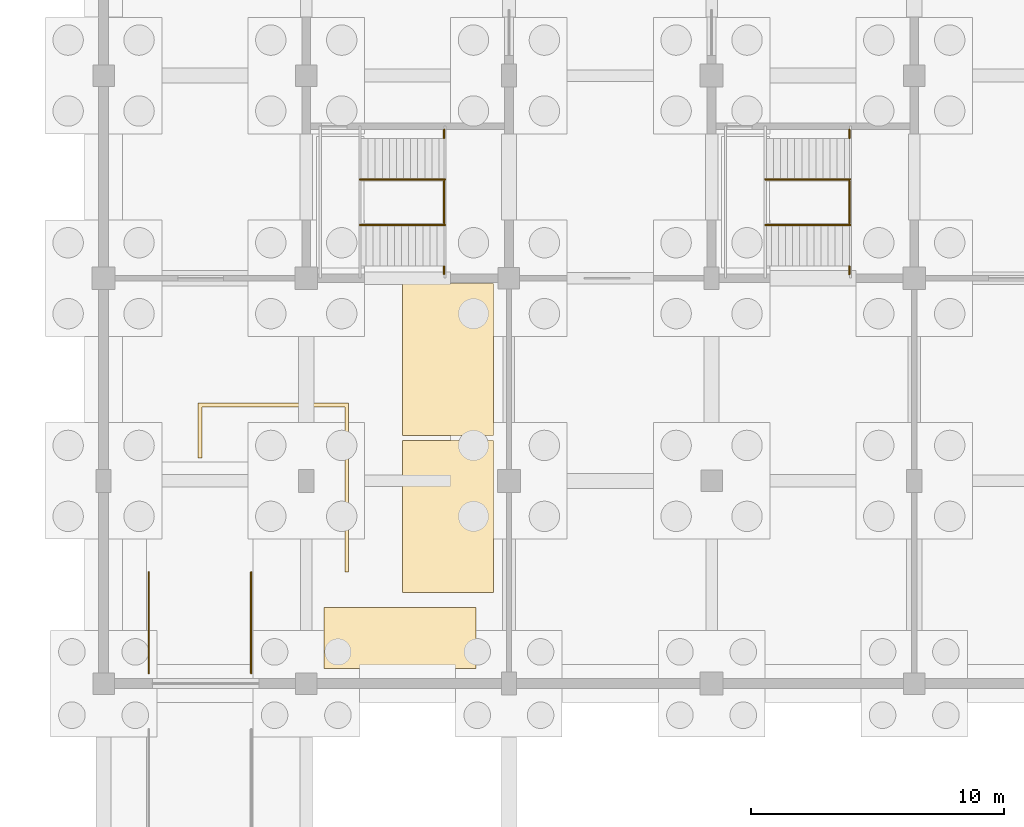
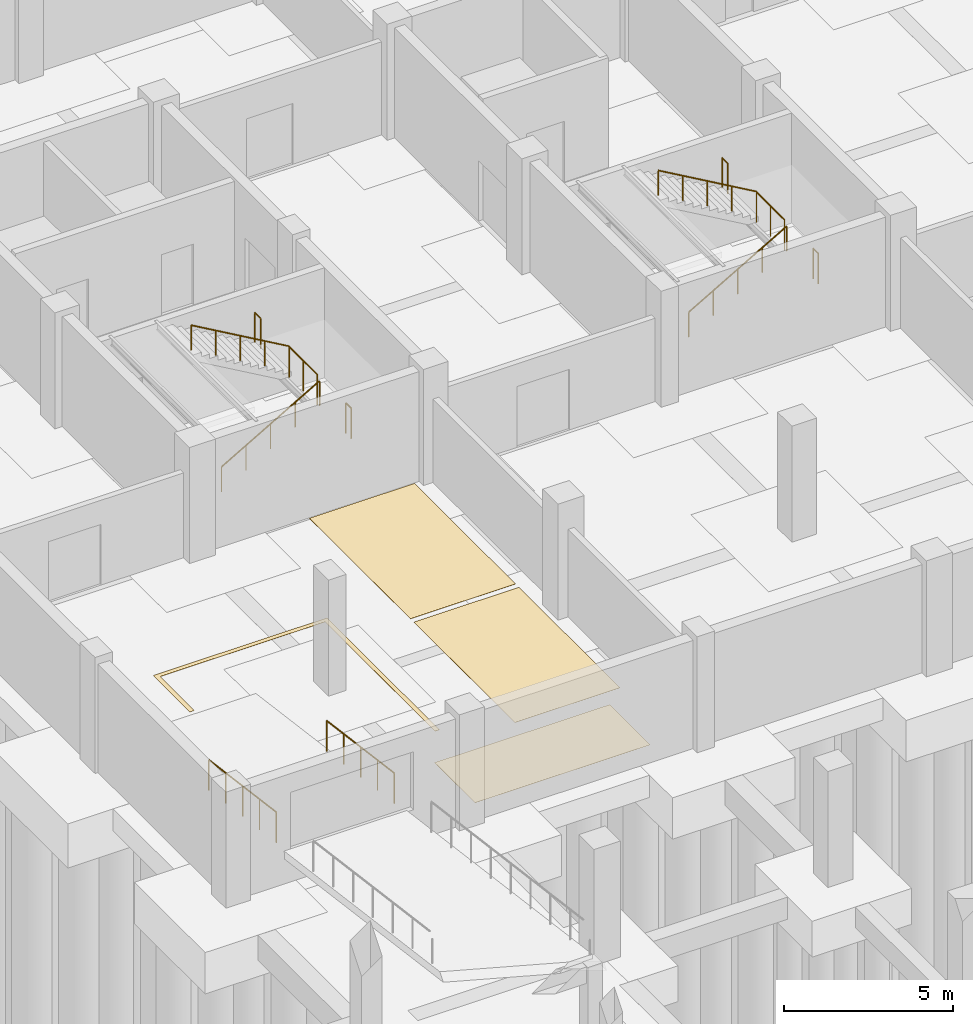
# One storey, part 29 of 32: 12 railings, 4 coverings, 3 elements without a shape of their own.
"""IFC4 building model written with IfcOpenShell, lengths in metres."""

from ifc_helpers import new_model, si_unit, direction, frame, origin, origin_2d, place, context, subcontext, project, spatial, polyline, circle, outline, extrude, material, layer, layer_set, type_object, element, aggregate, save


model = new_model("IFC4")

# Units and contexts
model_context = context("Model", 3, precision=1e-05, world=origin(), true_north=direction((0.0, 1.0)))
body_context = subcontext(model_context, "Body", "Model", "MODEL_VIEW")
ifc_project = project(units=[si_unit("LENGTHUNIT", "METRE"), si_unit("AREAUNIT", "SQUARE_METRE"), si_unit("VOLUMEUNIT", "CUBIC_METRE"), si_unit("PLANEANGLEUNIT", "RADIAN"), si_unit("MASSUNIT", "GRAM", prefix="KILO")], contexts=[model_context])

# Site, building, storey
site_placement = place(None, origin())
site = spatial("IfcSite", under=ifc_project, at=site_placement, CompositionType="ELEMENT")
building_placement = place(site_placement, origin())
building = spatial("IfcBuilding", under=site, at=building_placement, Name="Tenunan Teduh Sports Hall", CompositionType="ELEMENT")
storey_placement = place(building_placement, frame((0.0, 0.0, -4.199951171875)))
storey = spatial("IfcBuildingStorey", under=building, at=storey_placement, Name="B1", CompositionType="ELEMENT", Elevation=-4.199951171875)

# Coverings
ifc_material_1 = material(Name="Thermoplastic parking marking paint")
ifc_layer_1 = layer(ifc_material_1, 0.0048828125)
ifc_layer_set_1 = layer_set([ifc_layer_1], Name="Thermoplastic parking marking paint")
covering_type_1 = type_object("IfcCoveringType", Name="COV-MRK-BAY", PredefinedType="USERDEFINED", material=ifc_layer_set_1)
covering_1_placement = place(storey_placement, origin())
element("IfcCovering", 1, at=covering_1_placement, inside=storey, type_object=covering_type_1, Name="Car park bay marking PB-01 (standard, 2400 x 6000 mm)", ObjectType="PARKING MARKING", PredefinedType="USERDEFINED", context=body_context, shape_type="SweptSolid", body=[
    extrude(outline(polyline([(14.699951171875, 78.60009765625), (20.699951171875, 78.60009765625), (20.699951171875, 81.0), (14.699951171875, 81.0), (14.699951171875, 78.60009765625)])), origin(), (0.0, 0.0, 1.0), 0.0048828125),
])
covering_2_placement = place(storey_placement, origin())
element("IfcCovering", 2, at=covering_2_placement, inside=storey, type_object=covering_type_1, Name="Car park bay marking PB-02 (accessible, 3600 x 6000 mm)", ObjectType="PARKING MARKING", PredefinedType="USERDEFINED", context=body_context, shape_type="SweptSolid", body=[
    extrude(outline(polyline([(17.800048828125, 81.60009765625), (21.39990234375, 81.60009765625), (21.39990234375, 87.60009765625), (17.800048828125, 87.60009765625), (17.800048828125, 81.60009765625)])), origin(), (0.0, 0.0, 1.0), 0.0048828125),
])
covering_3_placement = place(storey_placement, origin())
element("IfcCovering", 3, at=covering_3_placement, inside=storey, type_object=covering_type_1, Name="Car park bay marking PB-03 (accessible, 3600 x 6000 mm)", ObjectType="PARKING MARKING", PredefinedType="USERDEFINED", context=body_context, shape_type="SweptSolid", body=[
    extrude(outline(polyline([(17.800048828125, 87.800048828125), (21.39990234375, 87.800048828125), (21.39990234375, 93.800048828125), (17.800048828125, 93.800048828125), (17.800048828125, 87.800048828125)])), origin(), (0.0, 0.0, 1.0), 0.0048828125),
])
ifc_material_2 = material(Name="Thermoplastic parking marking paint")
ifc_layer_2 = layer(ifc_material_2, 0.0048828125)
ifc_layer_set_2 = layer_set([ifc_layer_2], Name="Thermoplastic parking marking paint")
covering_type_2 = type_object("IfcCoveringType", Name="COV-MRK-RTE", PredefinedType="USERDEFINED", material=ifc_layer_set_2)
covering_4_placement = place(storey_placement, origin())
element("IfcCovering", 4, at=covering_4_placement, inside=storey, type_object=covering_type_2, Name="Car park vehicle route marking", ObjectType="PARKING MARKING", PredefinedType="USERDEFINED", context=body_context, shape_type="SweptSolid", body=[
    extrude(outline(polyline([(9.72509765625, 86.89990234375), (9.875, 86.89990234375), (9.875, 88.925048828125), (15.52490234375, 88.925048828125), (15.52490234375, 82.39990234375), (15.675048828125, 82.39990234375), (15.675048828125, 89.074951171875), (9.72509765625, 89.074951171875), (9.72509765625, 86.89990234375)])), origin(), (0.0, 0.0, 1.0), 0.0048828125),
])

# Railings
ifc_material_3 = material(Name="Galvanised and powder-coated steel", Category="steel")
ifc_layer_3 = layer(ifc_material_3, 0.070068359375)
ifc_layer_set_3 = layer_set([ifc_layer_3], Name="Galvanised and powder-coated steel")
railing_type_1 = type_object("IfcRailingType", Name="RLG-EXT-GRD", PredefinedType="GUARDRAIL", material=ifc_layer_set_3)
railing_1_placement = place(storey_placement, frame((19.43994140625, 96.169921875, 2.099853515625)))
element("IfcRailing", 5, at=railing_1_placement, inside=storey, type_object=railing_type_1, Name="RLG-STW-MID-W1-B1", PredefinedType="GUARDRAIL", context=body_context, shape_type="SweptSolid", body=[
    extrude(circle(Radius=0.02392578125, at=origin_2d()), frame((0.0, 0.0, 1.09619140625), z_axis=(0.0, 1.0, 0.0), x_axis=(-1.0, 0.0, 0.0)), (0.0, 0.0, 1.0), 1.66015625),
    extrude(circle(Radius=0.02099609375, at=origin_2d()), origin(), (0.0, 0.0, 1.0), 1.072021484375),
    extrude(circle(Radius=0.02099609375, at=origin_2d()), frame((0.0, 0.830078125, 0.0)), (0.0, 0.0, 1.0), 1.072021484375),
    extrude(circle(Radius=0.02099609375, at=origin_2d()), frame((0.0, 1.66015625, 0.0)), (0.0, 0.0, 1.0), 1.072021484375),
])
railing_2_placement = place(storey_placement, frame((19.43994140625, 94.159912109375, 2.099853515625)))
element("IfcRailing", 6, at=railing_2_placement, inside=storey, type_object=railing_type_1, Name="RLG-STW-MIDS-W1-B1", PredefinedType="GUARDRAIL", context=body_context, shape_type="SweptSolid", body=[
    extrude(circle(Radius=0.02392578125, at=origin_2d()), frame((0.0, 0.0, 1.09619140625), z_axis=(0.0, 1.0, 0.0), x_axis=(-1.0, 0.0, 0.0)), (0.0, 0.0, 1.0), 0.31005859375),
    extrude(circle(Radius=0.02099609375, at=origin_2d()), origin(), (0.0, 0.0, 1.0), 1.072021484375),
    extrude(circle(Radius=0.02099609375, at=origin_2d()), frame((0.0, 0.31005859375, 0.0)), (0.0, 0.0, 1.0), 1.072021484375),
])
railing_3_placement = place(storey_placement, frame((19.43994140625, 99.530029296875, 2.099853515625)))
element("IfcRailing", 7, at=railing_3_placement, inside=storey, type_object=railing_type_1, Name="RLG-STW-MIDN-W1-B1", PredefinedType="GUARDRAIL", context=body_context, shape_type="SweptSolid", body=[
    extrude(circle(Radius=0.02392578125, at=origin_2d()), frame((0.0, 0.0, 1.09619140625), z_axis=(0.0, 1.0, 0.0), x_axis=(-1.0, 0.0, 0.0)), (0.0, 0.0, 1.0), 0.340087890625),
    extrude(circle(Radius=0.02099609375, at=origin_2d()), origin(), (0.0, 0.0, 1.0), 1.072021484375),
    extrude(circle(Radius=0.02099609375, at=origin_2d()), frame((0.0, 0.340087890625, 0.0)), (0.0, 0.0, 1.0), 1.072021484375),
])
railing_4_placement = place(storey_placement, frame((35.43994140625, 96.169921875, 2.099853515625)))
element("IfcRailing", 8, at=railing_4_placement, inside=storey, type_object=railing_type_1, Name="RLG-STW-MID-W2-B1", PredefinedType="GUARDRAIL", context=body_context, shape_type="SweptSolid", body=[
    extrude(circle(Radius=0.02392578125, at=origin_2d()), frame((0.0, 0.0, 1.09619140625), z_axis=(0.0, 1.0, 0.0), x_axis=(-1.0, 0.0, 0.0)), (0.0, 0.0, 1.0), 1.66015625),
    extrude(circle(Radius=0.02099609375, at=origin_2d()), origin(), (0.0, 0.0, 1.0), 1.072021484375),
    extrude(circle(Radius=0.02099609375, at=origin_2d()), frame((0.0, 0.830078125, 0.0)), (0.0, 0.0, 1.0), 1.072021484375),
    extrude(circle(Radius=0.02099609375, at=origin_2d()), frame((0.0, 1.66015625, 0.0)), (0.0, 0.0, 1.0), 1.072021484375),
])
railing_5_placement = place(storey_placement, frame((35.43994140625, 94.159912109375, 2.099853515625)))
element("IfcRailing", 9, at=railing_5_placement, inside=storey, type_object=railing_type_1, Name="RLG-STW-MIDS-W2-B1", PredefinedType="GUARDRAIL", context=body_context, shape_type="SweptSolid", body=[
    extrude(circle(Radius=0.02392578125, at=origin_2d()), frame((0.0, 0.0, 1.09619140625), z_axis=(0.0, 1.0, 0.0), x_axis=(-1.0, 0.0, 0.0)), (0.0, 0.0, 1.0), 0.31005859375),
    extrude(circle(Radius=0.02099609375, at=origin_2d()), origin(), (0.0, 0.0, 1.0), 1.072021484375),
    extrude(circle(Radius=0.02099609375, at=origin_2d()), frame((0.0, 0.31005859375, 0.0)), (0.0, 0.0, 1.0), 1.072021484375),
])
railing_6_placement = place(storey_placement, frame((35.43994140625, 99.530029296875, 2.099853515625)))
element("IfcRailing", 10, at=railing_6_placement, inside=storey, type_object=railing_type_1, Name="RLG-STW-MIDN-W2-B1", PredefinedType="GUARDRAIL", context=body_context, shape_type="SweptSolid", body=[
    extrude(circle(Radius=0.02392578125, at=origin_2d()), frame((0.0, 0.0, 1.09619140625), z_axis=(0.0, 1.0, 0.0), x_axis=(-1.0, 0.0, 0.0)), (0.0, 0.0, 1.0), 0.340087890625),
    extrude(circle(Radius=0.02099609375, at=origin_2d()), origin(), (0.0, 0.0, 1.0), 1.072021484375),
    extrude(circle(Radius=0.02099609375, at=origin_2d()), frame((0.0, 0.340087890625, 0.0)), (0.0, 0.0, 1.0), 1.072021484375),
])

# Assembly, railings
ifc_material_4 = material(Name="Concrete C40/50", Category="concrete")
element_assembly_type = type_object("IfcElementAssemblyType", Name="RMP-VEH-B1", PredefinedType="USERDEFINED", material=ifc_material_4)
assembly_placement = place(storey_placement, origin())
assembly = element("IfcElementAssembly", 11, at=assembly_placement, inside=storey, type_object=element_assembly_type, Name="Basement Service Vehicle Two-Flight Ramp", ObjectType="VEHICLE_RAMP", PredefinedType="USERDEFINED")
railing_7_placement = place(storey_placement, frame((7.780029296875, 78.39990234375, 1.11328125)))
railing_7 = element("IfcRailing", 12, at=railing_7_placement, type_object=railing_type_1, Name="RMP-B1-VEH-GRD-3", PredefinedType="GUARDRAIL", context=body_context, shape_type="SweptSolid", body=[
    extrude(circle(Radius=0.02392578125, at=origin_2d()), frame((0.0, 0.0, 1.09619140625), z_axis=(0.0, 0.991224201634, -0.132191459996), x_axis=(-1.0, 0.0, 0.0)), (0.0, 0.0, 1.0), 4.035400390625),
    extrude(circle(Radius=0.02099609375, at=origin_2d()), origin(), (0.0, 0.0, 1.0), 1.072021484375),
    extrude(circle(Radius=0.02099609375, at=origin_2d()), frame((0.0, 1.0, -0.13330078125)), (0.0, 0.0, 1.0), 1.072021484375),
    extrude(circle(Radius=0.02099609375, at=origin_2d()), frame((0.0, 2.0, -0.2666015625)), (0.0, 0.0, 1.0), 1.072021484375),
    extrude(circle(Radius=0.02099609375, at=origin_2d()), frame((0.0, 3.0, -0.400146484375)), (0.0, 0.0, 1.0), 1.072021484375),
    extrude(circle(Radius=0.02099609375, at=origin_2d()), frame((0.0, 4.0, -0.533447265625)), (0.0, 0.0, 1.0), 1.072021484375),
])
railing_8_placement = place(storey_placement, frame((11.820068359375, 78.39990234375, 1.11328125)))
railing_8 = element("IfcRailing", 13, at=railing_8_placement, type_object=railing_type_1, Name="RMP-B1-VEH-GRD-4", PredefinedType="GUARDRAIL", context=body_context, shape_type="SweptSolid", body=[
    extrude(circle(Radius=0.02392578125, at=origin_2d()), frame((0.0, 0.0, 1.09619140625), z_axis=(0.0, 0.991224201634, -0.132191459996), x_axis=(-1.0, 0.0, 0.0)), (0.0, 0.0, 1.0), 4.035400390625),
    extrude(circle(Radius=0.02099609375, at=origin_2d()), origin(), (0.0, 0.0, 1.0), 1.072021484375),
    extrude(circle(Radius=0.02099609375, at=origin_2d()), frame((0.0, 1.0, -0.13330078125)), (0.0, 0.0, 1.0), 1.072021484375),
    extrude(circle(Radius=0.02099609375, at=origin_2d()), frame((0.0, 2.0, -0.2666015625)), (0.0, 0.0, 1.0), 1.072021484375),
    extrude(circle(Radius=0.02099609375, at=origin_2d()), frame((0.0, 3.0, -0.400146484375)), (0.0, 0.0, 1.0), 1.072021484375),
    extrude(circle(Radius=0.02099609375, at=origin_2d()), frame((0.0, 4.0, -0.533447265625)), (0.0, 0.0, 1.0), 1.072021484375),
])
aggregate(assembly, [railing_7, railing_8])

# Stair, railings
ifc_material_5 = material(Name="Precast concrete C40/50", Category="concrete")
stair_type = type_object("IfcStairType", Name="STR-B1-ESC", PredefinedType="HALF_TURN_STAIR", material=ifc_material_5)
stair_1_placement = place(storey_placement, origin())
stair_1 = element("IfcStair", 14, at=stair_1_placement, inside=storey, type_object=stair_type, Name="STR-W1-B1", PredefinedType="HALF_TURN_STAIR")
ifc_material_6 = material(Name="Brushed stainless steel", Category="steel")
ifc_layer_4 = layer(ifc_material_6, 0.050048828125)
ifc_layer_set_4 = layer_set([ifc_layer_4], Name="Brushed stainless steel")
railing_type_2 = type_object("IfcRailingType", Name="RLG-STAIR-HR", PredefinedType="HANDRAIL", material=ifc_layer_set_4)
railing_9_placement = place(storey_placement, frame((16.1201171875, 96.10009765625, 0.161376953125)))
railing_9 = element("IfcRailing", 15, at=railing_9_placement, type_object=railing_type_2, Name="STR-W1-B1-HR1", PredefinedType="HANDRAIL", context=body_context, shape_type="SweptSolid", body=[
    extrude(circle(Radius=0.02392578125, at=origin_2d()), frame((0.0, 0.0, 0.89599609375), z_axis=(0.866175107563, 0.0, 0.499740615757), x_axis=(0.0, 1.0, 0.0)), (0.0, 0.0, 1.0), 3.87890625),
    extrude(circle(Radius=0.02099609375, at=origin_2d()), origin(), (0.0, 0.0, 1.0), 0.871826171875),
    extrude(circle(Radius=0.02099609375, at=origin_2d()), frame((0.83984375, 0.0, 0.484619140625)), (0.0, 0.0, 1.0), 0.871826171875),
    extrude(circle(Radius=0.02099609375, at=origin_2d()), frame((1.679931640625, 0.0, 0.96923828125)), (0.0, 0.0, 1.0), 0.871826171875),
    extrude(circle(Radius=0.02099609375, at=origin_2d()), frame((2.52001953125, 0.0, 1.453857421875)), (0.0, 0.0, 1.0), 0.871826171875),
    extrude(circle(Radius=0.02099609375, at=origin_2d()), frame((3.35986328125, 0.0, 1.9384765625)), (0.0, 0.0, 1.0), 0.871826171875),
])
railing_10_placement = place(storey_placement, frame((19.47998046875, 97.89990234375, 2.261474609375)))
railing_10 = element("IfcRailing", 16, at=railing_10_placement, type_object=railing_type_2, Name="STR-W1-B1-HR2", PredefinedType="HANDRAIL", context=body_context, shape_type="SweptSolid", body=[
    extrude(circle(Radius=0.02392578125, at=origin_2d()), frame((0.0, 0.0, 0.89599609375), z_axis=(-0.866175107563, 0.0, 0.499740615757), x_axis=(0.0, -1.0, 0.0)), (0.0, 0.0, 1.0), 3.87890625),
    extrude(circle(Radius=0.02099609375, at=origin_2d()), origin(), (0.0, 0.0, 1.0), 0.871826171875),
    extrude(circle(Radius=0.02099609375, at=origin_2d()), frame((-0.83984375, 0.0, 0.484619140625)), (0.0, 0.0, 1.0), 0.871826171875),
    extrude(circle(Radius=0.02099609375, at=origin_2d()), frame((-1.679931640625, 0.0, 0.96923828125)), (0.0, 0.0, 1.0), 0.871826171875),
    extrude(circle(Radius=0.02099609375, at=origin_2d()), frame((-2.52001953125, 0.0, 1.453857421875)), (0.0, 0.0, 1.0), 0.871826171875),
    extrude(circle(Radius=0.02099609375, at=origin_2d()), frame((-3.35986328125, 0.0, 1.9384765625)), (0.0, 0.0, 1.0), 0.871826171875),
])
aggregate(stair_1, [railing_9, railing_10])

stair_2_placement = place(storey_placement, origin())
stair_2 = element("IfcStair", 17, at=stair_2_placement, inside=storey, type_object=stair_type, Name="STR-W2-B1", PredefinedType="HALF_TURN_STAIR")
railing_11_placement = place(storey_placement, frame((32.1201171875, 96.10009765625, 0.161376953125)))
railing_11 = element("IfcRailing", 18, at=railing_11_placement, type_object=railing_type_2, Name="STR-W2-B1-HR1", PredefinedType="HANDRAIL", context=body_context, shape_type="SweptSolid", body=[
    extrude(circle(Radius=0.02392578125, at=origin_2d()), frame((0.0, 0.0, 0.89599609375), z_axis=(0.866175107563, 0.0, 0.499740615757), x_axis=(0.0, 1.0, 0.0)), (0.0, 0.0, 1.0), 3.87890625),
    extrude(circle(Radius=0.02099609375, at=origin_2d()), origin(), (0.0, 0.0, 1.0), 0.871826171875),
    extrude(circle(Radius=0.02099609375, at=origin_2d()), frame((0.83984375, 0.0, 0.484619140625)), (0.0, 0.0, 1.0), 0.871826171875),
    extrude(circle(Radius=0.02099609375, at=origin_2d()), frame((1.679931640625, 0.0, 0.96923828125)), (0.0, 0.0, 1.0), 0.871826171875),
    extrude(circle(Radius=0.02099609375, at=origin_2d()), frame((2.52001953125, 0.0, 1.453857421875)), (0.0, 0.0, 1.0), 0.871826171875),
    extrude(circle(Radius=0.02099609375, at=origin_2d()), frame((3.35986328125, 0.0, 1.9384765625)), (0.0, 0.0, 1.0), 0.871826171875),
])
railing_12_placement = place(storey_placement, frame((35.47998046875, 97.89990234375, 2.261474609375)))
railing_12 = element("IfcRailing", 19, at=railing_12_placement, type_object=railing_type_2, Name="STR-W2-B1-HR2", PredefinedType="HANDRAIL", context=body_context, shape_type="SweptSolid", body=[
    extrude(circle(Radius=0.02392578125, at=origin_2d()), frame((0.0, 0.0, 0.89599609375), z_axis=(-0.866175107563, 0.0, 0.499740615757), x_axis=(0.0, -1.0, 0.0)), (0.0, 0.0, 1.0), 3.87890625),
    extrude(circle(Radius=0.02099609375, at=origin_2d()), origin(), (0.0, 0.0, 1.0), 0.871826171875),
    extrude(circle(Radius=0.02099609375, at=origin_2d()), frame((-0.83984375, 0.0, 0.484619140625)), (0.0, 0.0, 1.0), 0.871826171875),
    extrude(circle(Radius=0.02099609375, at=origin_2d()), frame((-1.679931640625, 0.0, 0.96923828125)), (0.0, 0.0, 1.0), 0.871826171875),
    extrude(circle(Radius=0.02099609375, at=origin_2d()), frame((-2.52001953125, 0.0, 1.453857421875)), (0.0, 0.0, 1.0), 0.871826171875),
    extrude(circle(Radius=0.02099609375, at=origin_2d()), frame((-3.35986328125, 0.0, 1.9384765625)), (0.0, 0.0, 1.0), 0.871826171875),
])
aggregate(stair_2, [railing_11, railing_12])

save(model, "model.ifc")
